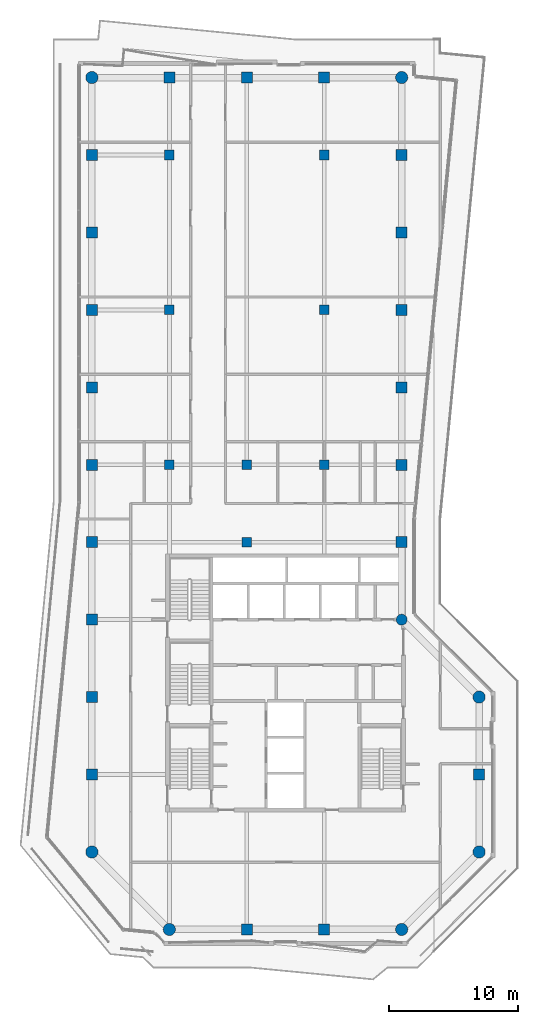
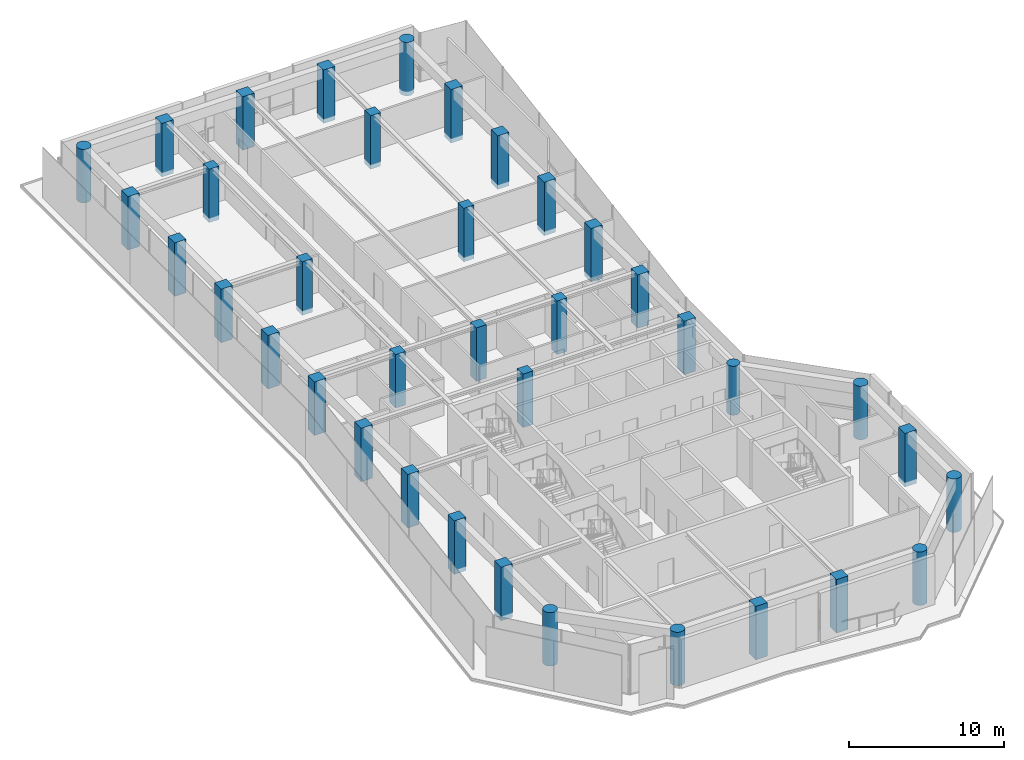
# One storey, part 1 of 25: 37 columns.
"""IFC4 building model written with IfcOpenShell, lengths in metres."""

from ifc_helpers import new_model, si_unit, direction, frame, origin, origin_2d, place, context, subcontext, project, spatial, rectangle, circle, extrude, material, material_profile, profile_set, type_object, element, save


model = new_model("IFC4")

# Units and contexts
model_context = context("Model", 3, precision=1e-05, world=origin(), true_north=direction((0.0, 1.0)))
body_context = subcontext(model_context, "Body", "Model", "MODEL_VIEW")
ifc_project = project(units=[si_unit("LENGTHUNIT", "METRE"), si_unit("AREAUNIT", "SQUARE_METRE"), si_unit("VOLUMEUNIT", "CUBIC_METRE"), si_unit("PLANEANGLEUNIT", "RADIAN"), si_unit("MASSUNIT", "GRAM", prefix="KILO")], contexts=[model_context])

# Site, building, storey
site_placement = place(None, origin())
site = spatial("IfcSite", under=ifc_project, at=site_placement, CompositionType="ELEMENT")
building_placement = place(site_placement, origin())
building = spatial("IfcBuilding", under=site, at=building_placement, Name="Welwitschia Terrace Campus", CompositionType="ELEMENT")
storey_placement = place(building_placement, frame((0.0, 0.0, 264.199951171875)))
storey = spatial("IfcBuildingStorey", under=building, at=storey_placement, Name="L58", CompositionType="ELEMENT", Elevation=264.199951171875)

# Columns
ifc_material_1 = material(Name="Concrete C50/60", Category="concrete")
ifc_material_profile_1 = material_profile(ifc_material_1, circle(Radius=0.425048828125, at=origin_2d()))
ifc_profile_set_1 = profile_set([ifc_material_profile_1], Name="Concrete C50/60")
column_type_1 = type_object("IfcColumnType", Name="Corner column 850 dia", PredefinedType="COLUMN", material=ifc_profile_set_1)
column_placement = place(storey_placement, frame((24.0, 20.0, 0.0), z_axis=(0.0, 0.0, 1.0), x_axis=(1.0, 0.0, 0.0)))
element("IfcColumn", 1, at=column_placement, inside=storey, type_object=column_type_1, Name="Column C41", PredefinedType="COLUMN", context=body_context, shape_type="SweptSolid", body=[
    extrude(circle(Radius=0.425048828125, at=origin_2d()), origin(), (0.0, 0.0, 1.0), 3.85009765625),
])
ifc_material_2 = material(Name="Concrete C50/60", Category="concrete")
ifc_material_profile_2 = material_profile(ifc_material_2, circle(Radius=0.47509765625, at=origin_2d()))
ifc_profile_set_2 = profile_set([ifc_material_profile_2], Name="Concrete C50/60")
column_type_2 = type_object("IfcColumnType", Name="Corner column 950 dia on truss", PredefinedType="COLUMN", material=ifc_profile_set_2)
for number, where, z_axis, x_axis, name in (
    (2, (0.0, 2.0, -0.349853515625), (0.0, 0.0, 1.0), (1.0, 0.0, 0.0), "Column C38"),
    (3, (0.0, 62.0, -0.349853515625), (0.0, 0.0, 1.0), (1.0, 0.0, 0.0), "Column C38"),
    (4, (6.0, -4.0, -0.349853515625), (0.0, 0.0, 1.0), (1.0, 0.0, 0.0), "Column C38"),
    (5, (24.0, -4.0, -0.349853515625), (0.0, 0.0, 1.0), (1.0, 0.0, 0.0), "Column C38"),
    (6, (24.0, 62.0, -0.349853515625), (0.0, 0.0, 1.0), (1.0, 0.0, 0.0), "Column C38"),
    (7, (30.0, 2.0, -0.349853515625), (0.0, 0.0, 1.0), (1.0, 0.0, 0.0), "Column C38"),
    (8, (30.0, 14.0, -0.349853515625), (0.0, 0.0, 1.0), (1.0, 0.0, 0.0), "Column C38"),
):
    element("IfcColumn", number, at=place(storey_placement, frame(where, z_axis=z_axis, x_axis=x_axis)), inside=storey, type_object=column_type_2, Name=name, PredefinedType="COLUMN", context=body_context, shape_type="SweptSolid", body=[
        extrude(circle(Radius=0.47509765625, at=origin_2d()), origin(), (0.0, 0.0, 1.0), 4.199951171875),
    ])
ifc_material_3 = material(Name="Concrete C50/60", Category="concrete")
ifc_material_profile_3 = material_profile(ifc_material_3, rectangle(XDim=0.75, YDim=0.75, at=origin_2d()))
ifc_profile_set_3 = profile_set([ifc_material_profile_3], Name="Concrete C50/60")
column_type_3 = type_object("IfcColumnType", Name="Interior column 750x750 on truss", PredefinedType="COLUMN", material=ifc_profile_set_3)
for number, where, z_axis, x_axis, name in (
    (9, (6.0, 32.0, -0.349853515625), (0.0, 0.0, 1.0), (1.0, 0.0, 0.0), "Column C40"),
    (10, (6.0, 44.0, -0.349853515625), (0.0, 0.0, 1.0), (1.0, 0.0, 0.0), "Column C40"),
    (11, (6.0, 56.0, -0.349853515625), (0.0, 0.0, 1.0), (1.0, 0.0, 0.0), "Column C40"),
    (12, (12.0, 26.0, -0.349853515625), (0.0, 0.0, 1.0), (1.0, 0.0, 0.0), "Column C40"),
    (13, (12.0, 32.0, -0.349853515625), (0.0, 0.0, 1.0), (1.0, 0.0, 0.0), "Column C40"),
    (14, (18.0, 32.0, -0.349853515625), (0.0, 0.0, 1.0), (1.0, 0.0, 0.0), "Column C40"),
    (15, (18.0, 44.0, -0.349853515625), (0.0, 0.0, 1.0), (1.0, 0.0, 0.0), "Column C40"),
    (16, (18.0, 56.0, -0.349853515625), (0.0, 0.0, 1.0), (1.0, 0.0, 0.0), "Column C40"),
):
    element("IfcColumn", number, at=place(storey_placement, frame(where, z_axis=z_axis, x_axis=x_axis)), inside=storey, type_object=column_type_3, Name=name, PredefinedType="COLUMN", context=body_context, shape_type="SweptSolid", body=[
        extrude(rectangle(XDim=0.75, YDim=0.75, at=origin_2d()), origin(), (0.0, 0.0, 1.0), 4.199951171875),
    ])
ifc_material_4 = material(Name="Concrete C50/60", Category="concrete")
ifc_material_profile_4 = material_profile(ifc_material_4, rectangle(XDim=0.85009765625, YDim=0.85009765625, at=origin_2d()))
ifc_profile_set_4 = profile_set([ifc_material_profile_4], Name="Concrete C50/60")
column_type_4 = type_object("IfcColumnType", Name="Ring column 850x850 on truss", PredefinedType="COLUMN", material=ifc_profile_set_4)
for number, where, z_axis, x_axis, name in (
    (17, (0.0, 8.0, -0.349853515625), (0.0, 0.0, 1.0), (1.0, 0.0, 0.0), "Column C39"),
    (18, (0.0, 14.0, -0.349853515625), (0.0, 0.0, 1.0), (1.0, 0.0, 0.0), "Column C39"),
    (19, (0.0, 20.0, -0.349853515625), (0.0, 0.0, 1.0), (1.0, 0.0, 0.0), "Column C39"),
    (20, (0.0, 26.0, -0.349853515625), (0.0, 0.0, 1.0), (1.0, 0.0, 0.0), "Column C39"),
    (21, (0.0, 32.0, -0.349853515625), (0.0, 0.0, 1.0), (1.0, 0.0, 0.0), "Column C39"),
    (22, (0.0, 38.0, -0.349853515625), (0.0, 0.0, 1.0), (1.0, 0.0, 0.0), "Column C39"),
    (23, (0.0, 44.0, -0.349853515625), (0.0, 0.0, 1.0), (1.0, 0.0, 0.0), "Column C39"),
    (24, (0.0, 50.0, -0.349853515625), (0.0, 0.0, 1.0), (1.0, 0.0, 0.0), "Column C39"),
    (25, (0.0, 56.0, -0.349853515625), (0.0, 0.0, 1.0), (1.0, 0.0, 0.0), "Column C39"),
    (26, (6.0, 62.0, -0.349853515625), (0.0, 0.0, 1.0), (1.0, 0.0, 0.0), "Column C39"),
    (27, (12.0, -4.0, -0.349853515625), (0.0, 0.0, 1.0), (1.0, 0.0, 0.0), "Column C39"),
    (28, (12.0, 62.0, -0.349853515625), (0.0, 0.0, 1.0), (1.0, 0.0, 0.0), "Column C39"),
    (29, (18.0, -4.0, -0.349853515625), (0.0, 0.0, 1.0), (1.0, 0.0, 0.0), "Column C39"),
    (30, (18.0, 62.0, -0.349853515625), (0.0, 0.0, 1.0), (1.0, 0.0, 0.0), "Column C39"),
    (31, (24.0, 26.0, -0.349853515625), (0.0, 0.0, 1.0), (1.0, 0.0, 0.0), "Column C39"),
    (32, (24.0, 32.0, -0.349853515625), (0.0, 0.0, 1.0), (1.0, 0.0, 0.0), "Column C39"),
    (33, (24.0, 38.0, -0.349853515625), (0.0, 0.0, 1.0), (1.0, 0.0, 0.0), "Column C39"),
    (34, (24.0, 44.0, -0.349853515625), (0.0, 0.0, 1.0), (1.0, 0.0, 0.0), "Column C39"),
    (35, (24.0, 50.0, -0.349853515625), (0.0, 0.0, 1.0), (1.0, 0.0, 0.0), "Column C39"),
    (36, (24.0, 56.0, -0.349853515625), (0.0, 0.0, 1.0), (1.0, 0.0, 0.0), "Column C39"),
    (37, (30.0, 8.0, -0.349853515625), (0.0, 0.0, 1.0), (1.0, 0.0, 0.0), "Column C39"),
):
    element("IfcColumn", number, at=place(storey_placement, frame(where, z_axis=z_axis, x_axis=x_axis)), inside=storey, type_object=column_type_4, Name=name, PredefinedType="COLUMN", context=body_context, shape_type="SweptSolid", body=[
        extrude(rectangle(XDim=0.85009765625, YDim=0.85009765625, at=origin_2d()), origin(), (0.0, 0.0, 1.0), 4.199951171875),
    ])

save(model, "model.ifc")
